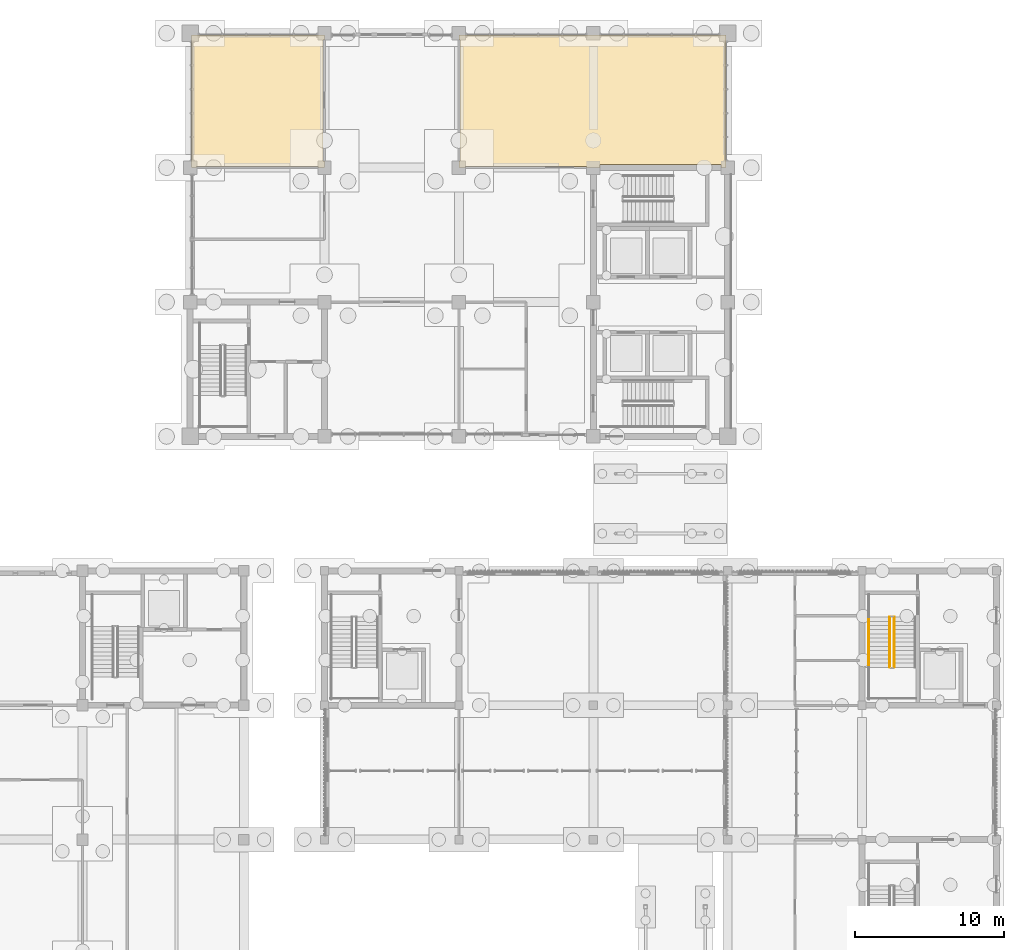
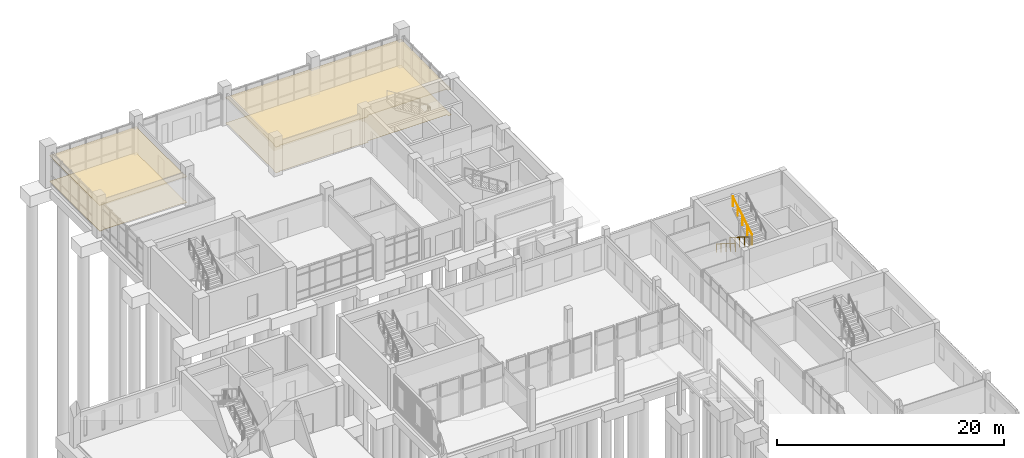
# One storey, part 104 of 106: 4 coverings, 3 railings.
"""IFC4 building model written with IfcOpenShell, lengths in metres."""

from ifc_helpers import new_model, si_unit, direction, frame, origin, origin_2d, place, context, subcontext, project, spatial, polyline, circle, outline, extrude, material, layer, layer_set, type_object, element, save


model = new_model("IFC4")

# Units and contexts
model_context = context("Model", 3, precision=1e-05, world=origin(), true_north=direction((0.0, 1.0)))
body_context = subcontext(model_context, "Body", "Model", "MODEL_VIEW")
ifc_project = project(units=[si_unit("LENGTHUNIT", "METRE"), si_unit("AREAUNIT", "SQUARE_METRE"), si_unit("VOLUMEUNIT", "CUBIC_METRE"), si_unit("PLANEANGLEUNIT", "RADIAN"), si_unit("MASSUNIT", "GRAM", prefix="KILO")], contexts=[model_context])

# Site, building, storey
site_placement = place(None, origin())
site = spatial("IfcSite", under=ifc_project, at=site_placement, CompositionType="ELEMENT")
building_placement = place(site_placement, origin())
building = spatial("IfcBuilding", under=site, at=building_placement, Name="Merrow Basin Faculty of Sciences", CompositionType="ELEMENT")
storey_placement = place(building_placement, origin())
storey = spatial("IfcBuildingStorey", under=building, at=storey_placement, Name="L00", CompositionType="ELEMENT", Elevation=0.0)

# Coverings
ifc_material_1 = material(Name="Carpet tile floor")
ifc_layer_1 = layer(ifc_material_1, 0.02001953125)
ifc_layer_set_1 = layer_set([ifc_layer_1], Name="Carpet tile floor")
covering_type_1 = type_object("IfcCoveringType", Name="Carpet tile floor", PredefinedType="FLOORING", material=ifc_layer_set_1)
covering_1_placement = place(storey_placement, origin())
element("IfcCovering", 1, at=covering_1_placement, inside=storey, type_object=covering_type_1, Name="Floor finish L00-T-017", PredefinedType="FLOORING", context=body_context, shape_type="SweptSolid", body=[
    extrude(outline(polyline([(26.56005859375, 160.010009765625), (26.56005859375, 160.06005859375), (18.43994140625, 160.06005859375), (18.43994140625, 160.010009765625), (18.110107421875, 160.010009765625), (18.110107421875, 168.889892578125), (26.989990234375, 168.889892578125), (26.989990234375, 168.56005859375), (26.9150390625, 168.56005859375), (26.9150390625, 160.43994140625), (26.989990234375, 160.43994140625), (26.989990234375, 160.010009765625), (26.56005859375, 160.010009765625)])), origin(), (0.0, 0.0, 1.0), 0.02001953125),
])
ifc_material_2 = material(Name="Polished terrazzo floor")
ifc_layer_2 = layer(ifc_material_2, 0.02001953125)
ifc_layer_set_2 = layer_set([ifc_layer_2], Name="Polished terrazzo floor")
covering_type_2 = type_object("IfcCoveringType", Name="Polished terrazzo floor", PredefinedType="FLOORING", material=ifc_layer_set_2)
covering_2_placement = place(storey_placement, origin())
element("IfcCovering", 2, at=covering_2_placement, inside=storey, type_object=covering_type_2, Name="Floor finish L00-T-018", PredefinedType="FLOORING", context=body_context, shape_type="SweptSolid", body=[
    extrude(outline(polyline([(36.010009765625, 160.43994140625), (36.0849609375, 160.43994140625), (36.0849609375, 168.56005859375), (36.010009765625, 168.56005859375), (36.010009765625, 168.889892578125), (53.889892578125, 168.889892578125), (53.889892578125, 160.010009765625), (53.56005859375, 160.010009765625), (53.56005859375, 160.2099609375), (45.43994140625, 160.2099609375), (45.43994140625, 160.010009765625), (44.56005859375, 160.010009765625), (44.56005859375, 160.0849609375), (36.43994140625, 160.0849609375), (36.43994140625, 160.010009765625), (36.010009765625, 160.010009765625), (36.010009765625, 160.43994140625)])), origin(), (0.0, 0.0, 1.0), 0.02001953125),
])

# Railings
ifc_material_3 = material(Name="Steel ASTM A36", Category="steel")
railing_type_1 = type_object("IfcRailingType", Name="Steel guard 1100", PredefinedType="GUARDRAIL", material=ifc_material_3)
railing_1_placement = place(storey_placement, frame((64.85009765625, 129.89990234375, 0.173095703125)))
element("IfcRailing", 3, at=railing_1_placement, inside=storey, type_object=railing_type_1, Name="L00 ST-V2-N stair guard 1", PredefinedType="GUARDRAIL", context=body_context, shape_type="SweptSolid", body=[
    extrude(circle(Radius=0.02392578125, at=origin_2d()), frame((0.0, 0.0, 1.076171875), z_axis=(0.0, -0.850606129759, 0.525803396734), x_axis=(1.0, 0.0, 0.0)), (0.0, 0.0, 1.0), 3.949951171875),
    extrude(circle(Radius=0.02099609375, at=origin_2d()), origin(), (0.0, 0.0, 1.0), 1.052001953125),
    extrude(circle(Radius=0.02099609375, at=origin_2d()), frame((0.0, -0.83984375, 0.519287109375)), (0.0, 0.0, 1.0), 1.052001953125),
    extrude(circle(Radius=0.02099609375, at=origin_2d()), frame((0.0, -1.679931640625, 1.03857421875)), (0.0, 0.0, 1.0), 1.052001953125),
    extrude(circle(Radius=0.02099609375, at=origin_2d()), frame((0.0, -2.52001953125, 1.5576171875)), (0.0, 0.0, 1.0), 1.052001953125),
    extrude(circle(Radius=0.02099609375, at=origin_2d()), frame((0.0, -3.35986328125, 2.076904296875)), (0.0, 0.0, 1.0), 1.052001953125),
])
railing_2_placement = place(storey_placement, frame((65.14990234375, 126.5400390625, 2.423095703125)))
element("IfcRailing", 4, at=railing_2_placement, inside=storey, type_object=railing_type_1, Name="L00 ST-V2-N stair guard 5", PredefinedType="GUARDRAIL", context=body_context, shape_type="SweptSolid", body=[
    extrude(circle(Radius=0.02392578125, at=origin_2d()), frame((0.0, 0.0, 1.076171875), z_axis=(0.0, 0.850606129759, 0.525803396734), x_axis=(-1.0, 0.0, 0.0)), (0.0, 0.0, 1.0), 3.949951171875),
    extrude(circle(Radius=0.02099609375, at=origin_2d()), origin(), (0.0, 0.0, 1.0), 1.052001953125),
    extrude(circle(Radius=0.02099609375, at=origin_2d()), frame((0.0, 0.83984375, 0.519287109375)), (0.0, 0.0, 1.0), 1.052001953125),
    extrude(circle(Radius=0.02099609375, at=origin_2d()), frame((0.0, 1.679931640625, 1.03857421875)), (0.0, 0.0, 1.0), 1.052001953125),
    extrude(circle(Radius=0.02099609375, at=origin_2d()), frame((0.0, 2.52001953125, 1.5576171875)), (0.0, 0.0, 1.0), 1.052001953125),
    extrude(circle(Radius=0.02099609375, at=origin_2d()), frame((0.0, 3.35986328125, 2.076904296875)), (0.0, 0.0, 1.0), 1.052001953125),
])
ifc_material_4 = material(Name="Steel ASTM A36", Category="steel")
railing_type_2 = type_object("IfcRailingType", Name="Steel handrail 900", PredefinedType="HANDRAIL", material=ifc_material_4)
railing_3_placement = place(storey_placement, frame((63.449951171875, 129.89990234375, 0.173095703125)))
element("IfcRailing", 5, at=railing_3_placement, inside=storey, type_object=railing_type_2, Name="L00 ST-V2-N stair handrail 1", PredefinedType="HANDRAIL", context=body_context, shape_type="SweptSolid", body=[
    extrude(circle(Radius=0.02392578125, at=origin_2d()), frame((0.0, 0.0, 0.8759765625), z_axis=(0.0, -0.850606129759, 0.525803396734), x_axis=(1.0, 0.0, 0.0)), (0.0, 0.0, 1.0), 3.949951171875),
    extrude(circle(Radius=0.02099609375, at=origin_2d()), origin(), (0.0, 0.0, 1.0), 0.851806640625),
    extrude(circle(Radius=0.02099609375, at=origin_2d()), frame((0.0, -0.83984375, 0.519287109375)), (0.0, 0.0, 1.0), 0.851806640625),
    extrude(circle(Radius=0.02099609375, at=origin_2d()), frame((0.0, -1.679931640625, 1.03857421875)), (0.0, 0.0, 1.0), 0.851806640625),
    extrude(circle(Radius=0.02099609375, at=origin_2d()), frame((0.0, -2.52001953125, 1.5576171875)), (0.0, 0.0, 1.0), 0.851806640625),
    extrude(circle(Radius=0.02099609375, at=origin_2d()), frame((0.0, -3.35986328125, 2.076904296875)), (0.0, 0.0, 1.0), 0.851806640625),
])

# Coverings
ifc_material_5 = material(Name="Mineral fibre ceiling tile")
ifc_layer_3 = layer(ifc_material_5, 0.050048828125)
ifc_layer_set_3 = layer_set([ifc_layer_3], Name="Suspended acoustic ceiling tile")
covering_type_3 = type_object("IfcCoveringType", Name="Suspended acoustic ceiling tile", PredefinedType="CEILING", material=ifc_layer_set_3)
covering_3_placement = place(storey_placement, frame((0.0, 0.0, 2.75)))
element("IfcCovering", 6, at=covering_3_placement, inside=storey, type_object=covering_type_3, Name="Ceiling L00-T-017", PredefinedType="CEILING", context=body_context, shape_type="SweptSolid", body=[
    extrude(outline(polyline([(26.56005859375, 160.010009765625), (26.56005859375, 160.06005859375), (18.43994140625, 160.06005859375), (18.43994140625, 160.010009765625), (18.110107421875, 160.010009765625), (18.110107421875, 168.889892578125), (26.989990234375, 168.889892578125), (26.989990234375, 168.56005859375), (26.9150390625, 168.56005859375), (26.9150390625, 160.43994140625), (26.989990234375, 160.43994140625), (26.989990234375, 160.010009765625), (26.56005859375, 160.010009765625)])), origin(), (0.0, 0.0, 1.0), 0.050048828125),
])
covering_4_placement = place(storey_placement, frame((0.0, 0.0, 2.75)))
element("IfcCovering", 7, at=covering_4_placement, inside=storey, type_object=covering_type_3, Name="Ceiling L00-T-018", PredefinedType="CEILING", context=body_context, shape_type="SweptSolid", body=[
    extrude(outline(polyline([(36.010009765625, 160.43994140625), (36.0849609375, 160.43994140625), (36.0849609375, 168.56005859375), (36.010009765625, 168.56005859375), (36.010009765625, 168.889892578125), (53.889892578125, 168.889892578125), (53.889892578125, 160.010009765625), (53.56005859375, 160.010009765625), (53.56005859375, 160.2099609375), (45.43994140625, 160.2099609375), (45.43994140625, 160.010009765625), (44.56005859375, 160.010009765625), (44.56005859375, 160.0849609375), (36.43994140625, 160.0849609375), (36.43994140625, 160.010009765625), (36.010009765625, 160.010009765625), (36.010009765625, 160.43994140625)])), origin(), (0.0, 0.0, 1.0), 0.050048828125),
])

save(model, "model.ifc")
